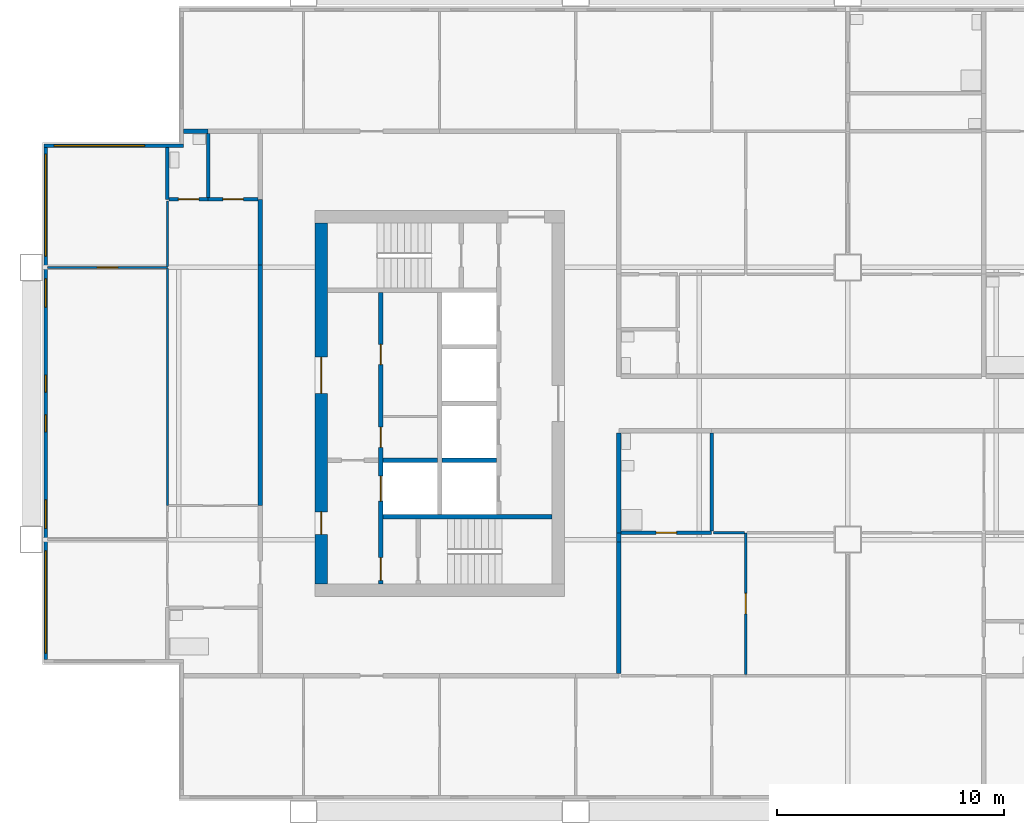
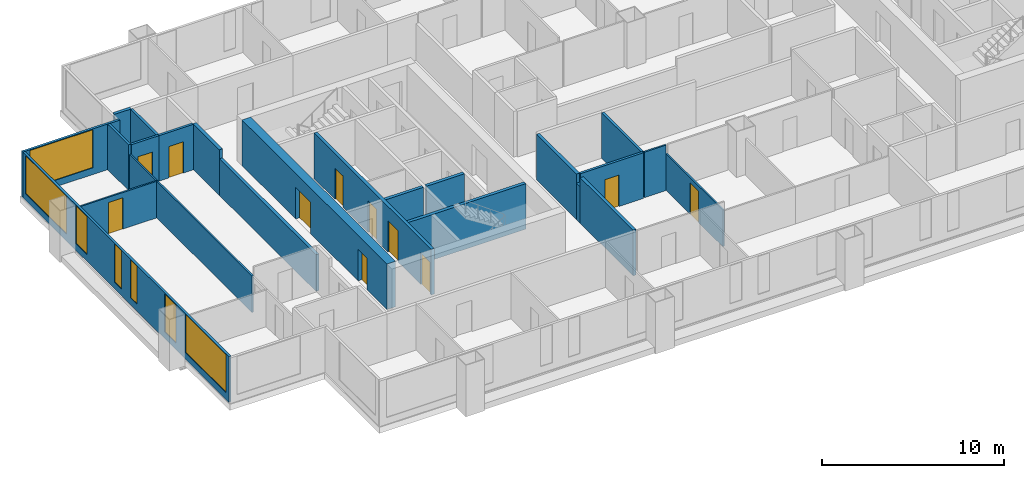
# One storey, part 3 of 10: 24 walls, 11 doors, 7 windows, 18 openings.
"""IFC4 building model written with IfcOpenShell, lengths in metres."""

from ifc_helpers import new_model, si_unit, direction, frame, frame_2d, origin, place, context, subcontext, project, spatial, rectangle, extrude, material, layer, layer_set, type_object, element, fill, save


model = new_model("IFC4")

# Units and contexts
model_context = context("Model", 3, precision=1e-05, world=origin(), true_north=direction((0.0, 1.0)))
body_context = subcontext(model_context, "Body", "Model", "MODEL_VIEW")
ifc_project = project(units=[si_unit("LENGTHUNIT", "METRE"), si_unit("AREAUNIT", "SQUARE_METRE"), si_unit("VOLUMEUNIT", "CUBIC_METRE"), si_unit("PLANEANGLEUNIT", "RADIAN"), si_unit("MASSUNIT", "GRAM", prefix="KILO")], contexts=[model_context])

# Site, building, storey
site_placement = place(None, origin())
site = spatial("IfcSite", under=ifc_project, at=site_placement, CompositionType="ELEMENT")
building_placement = place(site_placement, origin())
building = spatial("IfcBuilding", under=site, at=building_placement, Name="Kitamizu Gate Tower and Museum", CompositionType="ELEMENT")
storey_placement = place(building_placement, frame((0.0, 0.0, 185.85009765625)))
storey = spatial("IfcBuildingStorey", under=building, at=storey_placement, Name="L49", CompositionType="ELEMENT", Elevation=185.85009765625)

# Wall, openings, doors
ifc_material_1 = material(Name="Concrete Fc42", Category="concrete")
ifc_layer_1 = layer(ifc_material_1, 0.550048828125)
ifc_layer_set_1 = layer_set([ifc_layer_1], Name="Concrete Fc42")
wall_type_1 = type_object("IfcWallType", Name="Core wall 550", PredefinedType="SHEAR", material=ifc_layer_set_1)
wall_1_placement = place(storey_placement, frame((12.77490234375, 22.050048828125, 0.0), z_axis=(0.0, 0.0, 1.0), x_axis=(0.0, 1.0, 0.0)))
wall_1 = element("IfcWall", 1, at=wall_1_placement, inside=storey, type_object=wall_type_1, Name="Core wall WOUT", PredefinedType="SHEAR", context=body_context, shape_type="SweptSolid", body=[
    extrude(rectangle(XDim=15.89990234375, YDim=0.550048828125, at=frame_2d((7.949951171875, 0.0))), origin(), (0.0, 0.0, 1.0), 3.0498046875),
])
opening_1_placement = place(wall_1_placement, frame((8.39990234375, 0.0, 0.0)))
opening_1 = element("IfcOpeningElement", 2, at=opening_1_placement, cuts=wall_1, Name="Opening L49-046", PredefinedType="OPENING", context=body_context, shape_type="SweptSolid", body=[
    extrude(rectangle(XDim=1.60009765625, YDim=2.10009765625, at=frame_2d((0.800048828125, 1.050048828125))), frame((0.0, 0.28515625, 0.0), z_axis=(0.0, -1.0, 0.0), x_axis=(1.0, 0.0, 0.0)), (0.0, 0.0, 1.0), 0.570068359375),
])
opening_2_placement = place(wall_1_placement, frame((2.175048828125, 0.0, 0.0)))
opening_2 = element("IfcOpeningElement", 3, at=opening_2_placement, cuts=wall_1, Name="Opening L49-047", PredefinedType="OPENING", context=body_context, shape_type="SweptSolid", body=[
    extrude(rectangle(XDim=1.0, YDim=2.10009765625, at=frame_2d((0.5, 1.050048828125))), frame((0.0, 0.28515625, 0.0), z_axis=(0.0, -1.0, 0.0), x_axis=(1.0, 0.0, 0.0)), (0.0, 0.0, 1.0), 0.570068359375),
])
ifc_material_2 = material(Name="Timber door set", Category="wood")
door_type_1 = type_object("IfcDoorType", Name="Entrance door 1600", OperationType="DOUBLE_DOOR_SINGLE_SWING", PredefinedType="DOOR", material=ifc_material_2)
door_1_placement = place(opening_1_placement, origin())
door_1 = element("IfcDoor", 4, at=door_1_placement, inside=storey, type_object=door_type_1, Name="Lobby door L49-046", OperationType="DOUBLE_DOOR_SINGLE_SWING", OverallHeight=2.10009765625, OverallWidth=1.60009765625, PredefinedType="DOOR", context=body_context, shape_type="SweptSolid", body=[
    extrude(rectangle(XDim=1.60009765625, YDim=2.10009765625, at=frame_2d((0.800048828125, 1.050048828125))), frame((0.0, 0.02490234375, 0.0), z_axis=(0.0, -1.0, 0.0), x_axis=(1.0, 0.0, 0.0)), (0.0, 0.0, 1.0), 0.050048828125),
])
fill(opening_1, door_1)
ifc_material_3 = material(Name="Hollow metal door set")
door_type_2 = type_object("IfcDoorType", Name="Fire door 1000", OperationType="NOTDEFINED", PredefinedType="DOOR", material=ifc_material_3)
door_2_placement = place(opening_2_placement, frame((1.0, 0.0, 0.0), x_axis=(-1.0, 0.0, 0.0)))
door_2 = element("IfcDoor", 5, at=door_2_placement, inside=storey, type_object=door_type_2, Name="Fire-fighting lobby door L49-047", OperationType="SINGLE_SWING_LEFT", OverallHeight=2.10009765625, OverallWidth=1.0, PredefinedType="DOOR", context=body_context, shape_type="SweptSolid", body=[
    extrude(rectangle(XDim=1.0, YDim=2.10009765625, at=frame_2d((0.5, 1.050048828125))), frame((0.0, 0.02490234375, 0.0), z_axis=(0.0, -1.0, 0.0), x_axis=(1.0, 0.0, 0.0)), (0.0, 0.0, 1.0), 0.050048828125),
])
fill(opening_2, door_2)

# Wall, opening, door
ifc_material_4 = material(Name="Gypsum board on galvanised stud")
ifc_layer_2 = layer(ifc_material_4, 0.10009765625)
ifc_layer_set_2 = layer_set([ifc_layer_2], Name="Gypsum board on galvanised stud")
wall_type_2 = type_object("IfcWallType", Name="Partition 100 NOT RATED", PredefinedType="PARTITIONING", material=ifc_layer_set_2)
wall_2_placement = place(storey_placement, frame((31.5, 18.050048828125, 0.0), z_axis=(0.0, 0.0, 1.0), x_axis=(0.0, 1.0, 0.0)))
wall_2 = element("IfcWall", 6, at=wall_2_placement, inside=storey, type_object=wall_type_2, Name="Partition L49-015", PredefinedType="PARTITIONING", context=body_context, shape_type="SweptSolid", body=[
    extrude(rectangle(XDim=6.25, YDim=0.10009765625, at=frame_2d((3.125, 0.0))), origin(), (0.0, 0.0, 1.0), 2.449951171875),
])
opening_3_placement = place(wall_2_placement, frame((2.675048828125, 0.0, 0.0)))
opening_3 = element("IfcOpeningElement", 7, at=opening_3_placement, cuts=wall_2, Name="Opening L49-007", PredefinedType="OPENING", context=body_context, shape_type="SweptSolid", body=[
    extrude(rectangle(XDim=0.89990234375, YDim=2.10009765625, at=frame_2d((0.449951171875, 1.050048828125))), frame((0.0, 0.06005859375, 0.0), z_axis=(0.0, -1.0, 0.0), x_axis=(1.0, 0.0, 0.0)), (0.0, 0.0, 1.0), 0.1201171875),
])
ifc_material_5 = material(Name="Timber door set", Category="wood")
door_type_3 = type_object("IfcDoorType", Name="Room door 900", OperationType="NOTDEFINED", PredefinedType="DOOR", material=ifc_material_5)
door_3_placement = place(opening_3_placement, frame((0.89990234375, 0.0, 0.0), x_axis=(-1.0, 0.0, 0.0)))
door_3 = element("IfcDoor", 8, at=door_3_placement, inside=storey, type_object=door_type_3, Name="Door L49-007", OperationType="SINGLE_SWING_LEFT", OverallHeight=2.10009765625, OverallWidth=0.89990234375, PredefinedType="DOOR", context=body_context, shape_type="SweptSolid", body=[
    extrude(rectangle(XDim=0.89990234375, YDim=2.10009765625, at=frame_2d((0.449951171875, 1.050048828125))), frame((0.0, 0.02490234375, 0.0), z_axis=(0.0, -1.0, 0.0), x_axis=(1.0, 0.0, 0.0)), (0.0, 0.0, 1.0), 0.050048828125),
])
fill(opening_3, door_3)

# Wall
wall_3_placement = place(storey_placement, frame((31.449951171875, 24.300048828125, 0.0), z_axis=(0.0, 0.0, 1.0), x_axis=(-1.0, 0.0, 0.0)))
element("IfcWall", 9, at=wall_3_placement, inside=storey, type_object=wall_type_2, Name="Partition L49-017", PredefinedType="PARTITIONING", context=body_context, shape_type="SweptSolid", body=[
    extrude(rectangle(XDim=1.375, YDim=0.10009765625, at=frame_2d((0.6875, 0.0))), origin(), (0.0, 0.0, 1.0), 3.0498046875),
])

# Wall, opening, door
wall_4_placement = place(storey_placement, frame((6.0, 36.0, 0.0), z_axis=(0.0, 0.0, 1.0), x_axis=(-1.0, 0.0, 0.0)))
wall_4 = element("IfcWall", 10, at=wall_4_placement, inside=storey, type_object=wall_type_2, Name="Partition L49-082", PredefinedType="PARTITIONING", context=body_context, shape_type="SweptSolid", body=[
    extrude(rectangle(XDim=5.280029296875, YDim=0.10009765625, at=frame_2d((2.64013671875, 0.0))), origin(), (0.0, 0.0, 1.0), 2.449951171875),
])
opening_4_placement = place(wall_4_placement, frame((2.18994140625, 0.0, 0.0)))
opening_4 = element("IfcOpeningElement", 11, at=opening_4_placement, cuts=wall_4, Name="Opening L49-032", PredefinedType="OPENING", context=body_context, shape_type="SweptSolid", body=[
    extrude(rectangle(XDim=0.89990234375, YDim=2.10009765625, at=frame_2d((0.449951171875, 1.050048828125))), frame((0.0, 0.06005859375, 0.0), z_axis=(0.0, -1.0, 0.0), x_axis=(1.0, 0.0, 0.0)), (0.0, 0.0, 1.0), 0.1201171875),
])
door_4_placement = place(opening_4_placement, frame((0.89990234375, 0.0, 0.0), x_axis=(-1.0, 0.0, 0.0)))
door_4 = element("IfcDoor", 12, at=door_4_placement, inside=storey, type_object=door_type_3, Name="Door L49-032", OperationType="SINGLE_SWING_LEFT", OverallHeight=2.10009765625, OverallWidth=0.89990234375, PredefinedType="DOOR", context=body_context, shape_type="SweptSolid", body=[
    extrude(rectangle(XDim=0.89990234375, YDim=2.10009765625, at=frame_2d((0.449951171875, 1.050048828125))), frame((0.0, 0.02490234375, 0.0), z_axis=(0.0, -1.0, 0.0), x_axis=(1.0, 0.0, 0.0)), (0.0, 0.0, 1.0), 0.050048828125),
])
fill(opening_4, door_4)

# Walls
wall_5_placement = place(storey_placement, frame((6.0, 25.5, 0.0), z_axis=(0.0, 0.0, 1.0), x_axis=(0.0, 1.0, 0.0)))
element("IfcWall", 13, at=wall_5_placement, inside=storey, type_object=wall_type_2, Name="Partition L49-084", PredefinedType="PARTITIONING", context=body_context, shape_type="SweptSolid", body=[
    extrude(rectangle(XDim=10.449951171875, YDim=0.10009765625, at=frame_2d((5.22509765625, 0.0))), origin(), (0.0, 0.0, 1.0), 2.449951171875),
])
wall_6_placement = place(storey_placement, frame((6.0, 36.050048828125, 0.0), z_axis=(0.0, 0.0, 1.0), x_axis=(0.0, 1.0, 0.0)))
element("IfcWall", 14, at=wall_6_placement, inside=storey, type_object=wall_type_2, Name="Partition L49-085", PredefinedType="PARTITIONING", context=body_context, shape_type="SweptSolid", body=[
    extrude(rectangle(XDim=2.875, YDim=0.10009765625, at=frame_2d((1.4375, 0.0))), origin(), (0.0, 0.0, 1.0), 2.449951171875),
])

# Wall, opening, door
ifc_material_6 = material(Name="Gypsum board on galvanised stud")
ifc_layer_3 = layer(ifc_material_6, 0.14990234375)
ifc_layer_set_3 = layer_set([ifc_layer_3], Name="Gypsum board on galvanised stud")
wall_type_3 = type_object("IfcWallType", Name="Partition 150", PredefinedType="PARTITIONING", material=ifc_layer_set_3)
wall_7_placement = place(storey_placement, frame((30.0, 24.300048828125, 0.0), z_axis=(0.0, 0.0, 1.0), x_axis=(-1.0, 0.0, 0.0)))
wall_7 = element("IfcWall", 15, at=wall_7_placement, inside=storey, type_object=wall_type_3, Name="Partition L49-016", PredefinedType="PARTITIONING", context=body_context, shape_type="SweptSolid", body=[
    extrude(rectangle(XDim=4.0, YDim=0.14990234375, at=frame_2d((2.0, 0.0))), origin(), (0.0, 0.0, 1.0), 3.0498046875),
])
opening_5_placement = place(wall_7_placement, frame((1.550048828125, 0.0, 0.0)))
opening_5 = element("IfcOpeningElement", 16, at=opening_5_placement, cuts=wall_7, Name="Opening L49-009", PredefinedType="OPENING", context=body_context, shape_type="SweptSolid", body=[
    extrude(rectangle(XDim=0.89990234375, YDim=2.10009765625, at=frame_2d((0.449951171875, 1.050048828125))), frame((0.0, 0.0849609375, 0.0), z_axis=(0.0, -1.0, 0.0), x_axis=(1.0, 0.0, 0.0)), (0.0, 0.0, 1.0), 0.169921875),
])
ifc_material_7 = material(Name="Timber door set", Category="wood")
door_type_4 = type_object("IfcDoorType", Name="Bathroom door 900", OperationType="NOTDEFINED", PredefinedType="DOOR", material=ifc_material_7)
door_5_placement = place(opening_5_placement, frame((0.89990234375, 0.0, 0.0), x_axis=(-1.0, 0.0, 0.0)))
door_5 = element("IfcDoor", 17, at=door_5_placement, inside=storey, type_object=door_type_4, Name="Bathroom door L49-009", OperationType="SINGLE_SWING_LEFT", OverallHeight=2.10009765625, OverallWidth=0.89990234375, PredefinedType="DOOR", context=body_context, shape_type="SweptSolid", body=[
    extrude(rectangle(XDim=0.89990234375, YDim=2.10009765625, at=frame_2d((0.449951171875, 1.050048828125))), frame((0.0, 0.02490234375, 0.0), z_axis=(0.0, -1.0, 0.0), x_axis=(1.0, 0.0, 0.0)), (0.0, 0.0, 1.0), 0.050048828125),
])
fill(opening_5, door_5)

# Walls
wall_8_placement = place(storey_placement, frame((30.0, 24.375, 0.0), z_axis=(0.0, 0.0, 1.0), x_axis=(0.0, 1.0, 0.0)))
element("IfcWall", 18, at=wall_8_placement, inside=storey, type_object=wall_type_3, Name="Partition L49-025", PredefinedType="PARTITIONING", context=body_context, shape_type="SweptSolid", body=[
    extrude(rectangle(XDim=4.324951171875, YDim=0.14990234375, at=frame_2d((2.16259765625, 0.0))), origin(), (0.0, 0.0, 1.0), 3.0498046875),
])
wall_9_placement = place(storey_placement, frame((6.0, 39.0, 0.0), z_axis=(0.0, 0.0, 1.0), x_axis=(0.0, 1.0, 0.0)))
element("IfcWall", 19, at=wall_9_placement, inside=storey, type_object=wall_type_3, Name="Partition L49-086", PredefinedType="PARTITIONING", context=body_context, shape_type="SweptSolid", body=[
    extrude(rectangle(XDim=2.280029296875, YDim=0.14990234375, at=frame_2d((1.14013671875, 0.0))), origin(), (0.0, 0.0, 1.0), 3.0498046875),
])

# Wall, opening, door
wall_10_placement = place(storey_placement, frame((7.800048828125, 39.0, 0.0), z_axis=(0.0, 0.0, 1.0), x_axis=(-1.0, 0.0, 0.0)))
wall_10 = element("IfcWall", 20, at=wall_10_placement, inside=storey, type_object=wall_type_3, Name="Partition L49-092", PredefinedType="PARTITIONING", context=body_context, shape_type="SweptSolid", body=[
    extrude(rectangle(XDim=1.72509765625, YDim=0.14990234375, at=frame_2d((0.862548828125, 0.0))), origin(), (0.0, 0.0, 1.0), 3.0498046875),
])
opening_6_placement = place(wall_10_placement, frame((0.41259765625, 0.0, 0.0)))
opening_6 = element("IfcOpeningElement", 21, at=opening_6_placement, cuts=wall_10, Name="Opening L49-034", PredefinedType="OPENING", context=body_context, shape_type="SweptSolid", body=[
    extrude(rectangle(XDim=0.89990234375, YDim=2.10009765625, at=frame_2d((0.449951171875, 1.050048828125))), frame((0.0, 0.0849609375, 0.0), z_axis=(0.0, -1.0, 0.0), x_axis=(1.0, 0.0, 0.0)), (0.0, 0.0, 1.0), 0.169921875),
])
door_6_placement = place(opening_6_placement, frame((0.89990234375, 0.0, 0.0), x_axis=(-1.0, 0.0, 0.0)))
door_6 = element("IfcDoor", 22, at=door_6_placement, inside=storey, type_object=door_type_4, Name="Bathroom door L49-034", OperationType="SINGLE_SWING_LEFT", OverallHeight=2.10009765625, OverallWidth=0.89990234375, PredefinedType="DOOR", context=body_context, shape_type="SweptSolid", body=[
    extrude(rectangle(XDim=0.89990234375, YDim=2.10009765625, at=frame_2d((0.449951171875, 1.050048828125))), frame((0.0, 0.02490234375, 0.0), z_axis=(0.0, -1.0, 0.0), x_axis=(1.0, 0.0, 0.0)), (0.0, 0.0, 1.0), 0.050048828125),
])
fill(opening_6, door_6)

wall_11_placement = place(storey_placement, frame((10.0, 39.0, 0.0), z_axis=(0.0, 0.0, 1.0), x_axis=(-1.0, 0.0, 0.0)))
wall_11 = element("IfcWall", 23, at=wall_11_placement, inside=storey, type_object=wall_type_3, Name="Partition L49-093", PredefinedType="PARTITIONING", context=body_context, shape_type="SweptSolid", body=[
    extrude(rectangle(XDim=2.199951171875, YDim=0.14990234375, at=frame_2d((1.10009765625, 0.0))), origin(), (0.0, 0.0, 1.0), 3.0498046875),
])
opening_7_placement = place(wall_11_placement, frame((0.64990234375, 0.0, 0.0)))
opening_7 = element("IfcOpeningElement", 24, at=opening_7_placement, cuts=wall_11, Name="Opening L49-035", PredefinedType="OPENING", context=body_context, shape_type="SweptSolid", body=[
    extrude(rectangle(XDim=0.89990234375, YDim=2.10009765625, at=frame_2d((0.449951171875, 1.050048828125))), frame((0.0, 0.0849609375, 0.0), z_axis=(0.0, -1.0, 0.0), x_axis=(1.0, 0.0, 0.0)), (0.0, 0.0, 1.0), 0.169921875),
])
door_7_placement = place(opening_7_placement, frame((0.89990234375, 0.0, 0.0), x_axis=(-1.0, 0.0, 0.0)))
door_7 = element("IfcDoor", 25, at=door_7_placement, inside=storey, type_object=door_type_4, Name="Bathroom door L49-035", OperationType="SINGLE_SWING_RIGHT", OverallHeight=2.10009765625, OverallWidth=0.89990234375, PredefinedType="DOOR", context=body_context, shape_type="SweptSolid", body=[
    extrude(rectangle(XDim=0.89990234375, YDim=2.10009765625, at=frame_2d((0.449951171875, 1.050048828125))), frame((0.0, 0.02490234375, 0.0), z_axis=(0.0, -1.0, 0.0), x_axis=(1.0, 0.0, 0.0)), (0.0, 0.0, 1.0), 0.050048828125),
])
fill(opening_7, door_7)

# Walls
wall_12_placement = place(storey_placement, frame((7.800048828125, 39.074951171875, 0.0), z_axis=(0.0, 0.0, 1.0), x_axis=(0.0, 1.0, 0.0)))
element("IfcWall", 26, at=wall_12_placement, inside=storey, type_object=wall_type_3, Name="Partition L49-096", PredefinedType="PARTITIONING", context=body_context, shape_type="SweptSolid", body=[
    extrude(rectangle(XDim=2.824951171875, YDim=0.14990234375, at=frame_2d((1.41259765625, 0.0))), origin(), (0.0, 0.0, 1.0), 3.0498046875),
])
ifc_material_8 = material(Name="Gypsum board on galvanised stud")
ifc_layer_4 = layer(ifc_material_8, 0.199951171875)
ifc_layer_set_4 = layer_set([ifc_layer_4], Name="Gypsum board on galvanised stud")
wall_type_4 = type_object("IfcWallType", Name="Partition 200", PredefinedType="PARTITIONING", material=ifc_layer_set_4)
wall_13_placement = place(storey_placement, frame((25.89990234375, 24.300048828125, 0.0), z_axis=(0.0, 0.0, 1.0), x_axis=(0.0, -1.0, 0.0)))
element("IfcWall", 27, at=wall_13_placement, inside=storey, type_object=wall_type_4, Name="Partition L49-018", PredefinedType="PARTITIONING", context=body_context, shape_type="SweptSolid", body=[
    extrude(rectangle(XDim=0.400146484375, YDim=0.199951171875, at=frame_2d((0.2001953125, 0.0))), origin(), (0.0, 0.0, 1.0), 2.449951171875),
])
wall_14_placement = place(storey_placement, frame((25.89990234375, 23.89990234375, 0.0), z_axis=(0.0, 0.0, 1.0), x_axis=(0.0, -1.0, 0.0)))
element("IfcWall", 28, at=wall_14_placement, inside=storey, type_object=wall_type_4, Name="Partition L49-019", PredefinedType="PARTITIONING", context=body_context, shape_type="SweptSolid", body=[
    extrude(rectangle(XDim=5.7998046875, YDim=0.199951171875, at=frame_2d((2.89990234375, 0.0))), origin(), (0.0, 0.0, 1.0), 3.0498046875),
])
wall_15_placement = place(storey_placement, frame((25.89990234375, 28.699951171875, 0.0), z_axis=(0.0, 0.0, 1.0), x_axis=(0.0, -1.0, 0.0)))
element("IfcWall", 29, at=wall_15_placement, inside=storey, type_object=wall_type_4, Name="Partition L49-027", PredefinedType="PARTITIONING", context=body_context, shape_type="SweptSolid", body=[
    extrude(rectangle(XDim=4.39990234375, YDim=0.199951171875, at=frame_2d((2.199951171875, 0.0))), origin(), (0.0, 0.0, 1.0), 3.0498046875),
])
wall_16_placement = place(storey_placement, frame((6.719970703125, 42.0, 0.0), z_axis=(0.0, 0.0, 1.0), x_axis=(1.0, 0.0, 0.0)))
element("IfcWall", 30, at=wall_16_placement, inside=storey, type_object=wall_type_4, Name="Partition L49-042", PredefinedType="PARTITIONING", context=body_context, shape_type="SweptSolid", body=[
    extrude(rectangle(XDim=1.080078125, YDim=0.199951171875, at=frame_2d((0.5400390625, 0.0))), origin(), (0.0, 0.0, 1.0), 3.0498046875),
])
wall_17_placement = place(storey_placement, frame((10.10009765625, 25.5, 0.0), z_axis=(0.0, 0.0, 1.0), x_axis=(0.0, 1.0, 0.0)))
element("IfcWall", 31, at=wall_17_placement, inside=storey, type_object=wall_type_4, Name="Partition L49-094", PredefinedType="PARTITIONING", context=body_context, shape_type="SweptSolid", body=[
    extrude(rectangle(XDim=10.60009765625, YDim=0.199951171875, at=frame_2d((5.300048828125, 0.0))), origin(), (0.0, 0.0, 1.0), 2.449951171875),
])
wall_18_placement = place(storey_placement, frame((10.10009765625, 36.10009765625, 0.0), z_axis=(0.0, 0.0, 1.0), x_axis=(0.0, 1.0, 0.0)))
element("IfcWall", 32, at=wall_18_placement, inside=storey, type_object=wall_type_4, Name="Partition L49-095", PredefinedType="PARTITIONING", context=body_context, shape_type="SweptSolid", body=[
    extrude(rectangle(XDim=2.89990234375, YDim=0.199951171875, at=frame_2d((1.449951171875, 0.0))), origin(), (0.0, 0.0, 1.0), 3.0498046875),
])

# Wall, openings, doors
ifc_material_9 = material(Name="Concrete Fc42", Category="concrete")
ifc_layer_5 = layer(ifc_material_9, 0.199951171875)
ifc_layer_set_5 = layer_set([ifc_layer_5], Name="Concrete Fc42")
wall_type_5 = type_object("IfcWallType", Name="Shaft wall 200", PredefinedType="SOLIDWALL", material=ifc_layer_set_5)
wall_19_placement = place(storey_placement, frame((15.39990234375, 22.050048828125, 0.0), z_axis=(0.0, 0.0, 1.0), x_axis=(0.0, 1.0, 0.0)))
wall_19 = element("IfcWall", 33, at=wall_19_placement, inside=storey, type_object=wall_type_5, Name="Shaft wall WWEST", PredefinedType="SOLIDWALL", context=body_context, shape_type="SweptSolid", body=[
    extrude(rectangle(XDim=12.849853515625, YDim=0.199951171875, at=frame_2d((6.4248046875, 0.0))), origin(), (0.0, 0.0, 1.0), 3.0498046875),
])
opening_8_placement = place(wall_19_placement, frame((3.64990234375, 0.0, 0.0)))
opening_8 = element("IfcOpeningElement", 34, at=opening_8_placement, cuts=wall_19, Name="Opening LD", PredefinedType="OPENING", context=body_context, shape_type="SweptSolid", body=[
    extrude(rectangle(XDim=1.10009765625, YDim=2.10009765625, at=frame_2d((0.550048828125, 1.050048828125))), frame((0.0, 0.10986328125, 0.0), z_axis=(0.0, -1.0, 0.0), x_axis=(1.0, 0.0, 0.0)), (0.0, 0.0, 1.0), 0.219970703125),
])
opening_9_placement = place(wall_19_placement, frame((0.14990234375, 0.0, 0.0)))
opening_9 = element("IfcOpeningElement", 35, at=opening_9_placement, cuts=wall_19, Name="Opening L49-042", PredefinedType="OPENING", context=body_context, shape_type="SweptSolid", body=[
    extrude(rectangle(XDim=1.0, YDim=2.10009765625, at=frame_2d((0.5, 1.050048828125))), frame((0.0, 0.10986328125, 0.0), z_axis=(0.0, -1.0, 0.0), x_axis=(1.0, 0.0, 0.0)), (0.0, 0.0, 1.0), 0.219970703125),
])
opening_10_placement = place(wall_19_placement, frame((6.012451171875, 0.0, 0.0)))
opening_10 = element("IfcOpeningElement", 36, at=opening_10_placement, cuts=wall_19, Name="Opening L49-050", PredefinedType="OPENING", context=body_context, shape_type="SweptSolid", body=[
    extrude(rectangle(XDim=0.89990234375, YDim=2.10009765625, at=frame_2d((0.449951171875, 1.050048828125))), frame((0.0, 0.10986328125, 0.0), z_axis=(0.0, -1.0, 0.0), x_axis=(1.0, 0.0, 0.0)), (0.0, 0.0, 1.0), 0.219970703125),
])
opening_11_placement = place(wall_19_placement, frame((9.66259765625, 0.0, 0.0)))
opening_11 = element("IfcOpeningElement", 37, at=opening_11_placement, cuts=wall_19, Name="Opening L49-051", PredefinedType="OPENING", context=body_context, shape_type="SweptSolid", body=[
    extrude(rectangle(XDim=0.89990234375, YDim=2.10009765625, at=frame_2d((0.449951171875, 1.050048828125))), frame((0.0, 0.10986328125, 0.0), z_axis=(0.0, -1.0, 0.0), x_axis=(1.0, 0.0, 0.0)), (0.0, 0.0, 1.0), 0.219970703125),
])
door_8_placement = place(opening_9_placement, frame((1.0, 0.0, 0.0), x_axis=(-1.0, 0.0, 0.0)))
door_8 = element("IfcDoor", 38, at=door_8_placement, inside=storey, type_object=door_type_2, Name="Stair lobby door L49-042", OperationType="SINGLE_SWING_LEFT", OverallHeight=2.10009765625, OverallWidth=1.0, PredefinedType="DOOR", context=body_context, shape_type="SweptSolid", body=[
    extrude(rectangle(XDim=1.0, YDim=2.10009765625, at=frame_2d((0.5, 1.050048828125))), frame((0.0, 0.02490234375, 0.0), z_axis=(0.0, -1.0, 0.0), x_axis=(1.0, 0.0, 0.0)), (0.0, 0.0, 1.0), 0.050048828125),
])
fill(opening_9, door_8)
ifc_material_10 = material(Name="Hollow metal door set")
door_type_5 = type_object("IfcDoorType", Name="Landing door 1100", OperationType="SLIDING_TO_LEFT", PredefinedType="DOOR", material=ifc_material_10)
door_9_placement = place(opening_8_placement, origin())
door_9 = element("IfcDoor", 39, at=door_9_placement, inside=storey, type_object=door_type_5, Name="Landing door WFF1", OperationType="SLIDING_TO_LEFT", OverallHeight=2.10009765625, OverallWidth=1.10009765625, PredefinedType="DOOR", context=body_context, shape_type="SweptSolid", body=[
    extrude(rectangle(XDim=1.10009765625, YDim=2.10009765625, at=frame_2d((0.550048828125, 1.050048828125))), frame((0.0, 0.02490234375, 0.0), z_axis=(0.0, -1.0, 0.0), x_axis=(1.0, 0.0, 0.0)), (0.0, 0.0, 1.0), 0.050048828125),
])
fill(opening_8, door_9)
ifc_material_11 = material(Name="Timber door set", Category="wood")
door_type_6 = type_object("IfcDoorType", Name="Service door 900", OperationType="NOTDEFINED", PredefinedType="DOOR", material=ifc_material_11)
door_10_placement = place(opening_10_placement, frame((0.89990234375, 0.0, 0.0), x_axis=(-1.0, 0.0, 0.0)))
door_10 = element("IfcDoor", 40, at=door_10_placement, inside=storey, type_object=door_type_6, Name="Service door L49-050", OperationType="SINGLE_SWING_RIGHT", OverallHeight=2.10009765625, OverallWidth=0.89990234375, PredefinedType="DOOR", context=body_context, shape_type="SweptSolid", body=[
    extrude(rectangle(XDim=0.89990234375, YDim=2.10009765625, at=frame_2d((0.449951171875, 1.050048828125))), frame((0.0, 0.02490234375, 0.0), z_axis=(0.0, -1.0, 0.0), x_axis=(1.0, 0.0, 0.0)), (0.0, 0.0, 1.0), 0.050048828125),
])
fill(opening_10, door_10)
door_11_placement = place(opening_11_placement, frame((0.89990234375, 0.0, 0.0), x_axis=(-1.0, 0.0, 0.0)))
door_11 = element("IfcDoor", 41, at=door_11_placement, inside=storey, type_object=door_type_6, Name="Service door L49-051", OperationType="SINGLE_SWING_LEFT", OverallHeight=2.10009765625, OverallWidth=0.89990234375, PredefinedType="DOOR", context=body_context, shape_type="SweptSolid", body=[
    extrude(rectangle(XDim=0.89990234375, YDim=2.10009765625, at=frame_2d((0.449951171875, 1.050048828125))), frame((0.0, 0.02490234375, 0.0), z_axis=(0.0, -1.0, 0.0), x_axis=(1.0, 0.0, 0.0)), (0.0, 0.0, 1.0), 0.050048828125),
])
fill(opening_11, door_11)

# Walls
wall_20_placement = place(storey_placement, frame((15.5, 25.0, 0.0), z_axis=(0.0, 0.0, 1.0), x_axis=(1.0, 0.0, 0.0)))
element("IfcWall", 42, at=wall_20_placement, inside=storey, type_object=wall_type_5, Name="Shaft wall WSB", PredefinedType="SOLIDWALL", context=body_context, shape_type="SweptSolid", body=[
    extrude(rectangle(XDim=7.449951171875, YDim=0.199951171875, at=frame_2d((3.72509765625, 0.0))), origin(), (0.0, 0.0, 1.0), 3.0498046875),
])
for number, where, z_axis, x_axis, name in (
    (43, (15.5, 27.5, 0.0), (0.0, 0.0, 1.0), (1.0, 0.0, 0.0), "Shaft wall WDVW0"),
    (44, (18.10009765625, 27.5, 0.0), (0.0, 0.0, 1.0), (1.0, 0.0, 0.0), "Shaft wall WDVE0"),
):
    element("IfcWall", number, at=place(storey_placement, frame(where, z_axis=z_axis, x_axis=x_axis)), inside=storey, type_object=wall_type_5, Name=name, PredefinedType="SOLIDWALL", context=body_context, shape_type="SweptSolid", body=[
        extrude(rectangle(XDim=2.39990234375, YDim=0.199951171875, at=frame_2d((1.199951171875, 0.0))), origin(), (0.0, 0.0, 1.0), 3.0498046875),
    ])

# Wall, opening, window
ifc_material_12 = material(Name="Bronze anodised aluminium frame with insulated spandrel and tinted glass", Category="aluminium")
ifc_layer_6 = layer(ifc_material_12, 0.14990234375)
ifc_layer_set_6 = layer_set([ifc_layer_6], Name="Bronze anodised aluminium frame with insulated spandrel and tinted glass")
wall_type_6 = type_object("IfcWallType", Name="WINDOW WALL 150 BRONZE FRAME EI 30", PredefinedType="ELEMENTEDWALL", material=ifc_layer_set_6)
wall_21_placement = place(storey_placement, frame((0.56005859375, 41.364990234375, 0.0), z_axis=(0.0, 0.0, 1.0), x_axis=(1.0, 0.0, 0.0)))
wall_21 = element("IfcWall", 45, at=wall_21_placement, inside=storey, type_object=wall_type_6, Name="Window wall north L49", PredefinedType="ELEMENTEDWALL", context=body_context, shape_type="SweptSolid", body=[
    extrude(rectangle(XDim=6.14990234375, YDim=0.14990234375, at=frame_2d((3.074951171875, 0.0))), origin(), (0.0, 0.0, 1.0), 3.0498046875),
])
opening_12_placement = place(wall_21_placement, frame((0.43994140625, 0.0, 0.449951171875)))
opening_12 = element("IfcOpeningElement", 46, at=opening_12_placement, cuts=wall_21, Name="Opening W16", PredefinedType="OPENING", context=body_context, shape_type="SweptSolid", body=[
    extrude(rectangle(XDim=4.0, YDim=2.550048828125, at=frame_2d((2.0, 1.27490234375))), frame((0.0, 0.0849609375, 0.0), z_axis=(0.0, -1.0, 0.0), x_axis=(1.0, 0.0, 0.0)), (0.0, 0.0, 1.0), 0.169921875),
])
ifc_material_13 = material(Name="Bronze anodised aluminium frame, tinted triple glazing", Category="aluminium")
window_type_1 = type_object("IfcWindowType", Name="WINDOW 4000 x 2550 SILL 450", PartitioningType="SINGLE_PANEL", PredefinedType="WINDOW", material=ifc_material_13)
window_1_placement = place(opening_12_placement, origin())
window_1 = element("IfcWindow", 47, at=window_1_placement, inside=storey, type_object=window_type_1, Name="Window W16 L49", OverallHeight=2.550048828125, OverallWidth=4.0, PartitioningType="SINGLE_PANEL", PredefinedType="WINDOW", context=body_context, shape_type="SweptSolid", body=[
    extrude(rectangle(XDim=4.0, YDim=2.550048828125, at=frame_2d((2.0, 1.27490234375))), frame((0.0, 0.030029296875, 0.0), z_axis=(0.0, -1.0, 0.0), x_axis=(1.0, 0.0, 0.0)), (0.0, 0.0, 1.0), 0.06005859375),
])
fill(opening_12, window_1)

# Wall, openings, windows
wall_22_placement = place(storey_placement, frame((0.635009765625, 18.7099609375, 0.0), z_axis=(0.0, 0.0, 1.0), x_axis=(0.0, 1.0, 0.0)))
wall_22 = element("IfcWall", 48, at=wall_22_placement, inside=storey, type_object=wall_type_6, Name="Window wall west L49", PredefinedType="ELEMENTEDWALL", context=body_context, shape_type="SweptSolid", body=[
    extrude(rectangle(XDim=22.580078125, YDim=0.14990234375, at=frame_2d((11.2900390625, 0.0))), origin(), (0.0, 0.0, 1.0), 3.0498046875),
])
opening_13_placement = place(wall_22_placement, frame((0.2900390625, 0.0, 0.449951171875)))
opening_13 = element("IfcOpeningElement", 49, at=opening_13_placement, cuts=wall_22, Name="Opening W15", PredefinedType="OPENING", context=body_context, shape_type="SweptSolid", body=[
    extrude(rectangle(XDim=4.5, YDim=2.550048828125, at=frame_2d((2.25, 1.27490234375))), frame((0.0, 0.0849609375, 0.0), z_axis=(0.0, -1.0, 0.0), x_axis=(1.0, 0.0, 0.0)), (0.0, 0.0, 1.0), 0.169921875),
])
opening_14_placement = place(wall_22_placement, frame((5.7900390625, 0.0, 0.449951171875)))
opening_14 = element("IfcOpeningElement", 50, at=opening_14_placement, cuts=wall_22, Name="Opening W27", PredefinedType="OPENING", context=body_context, shape_type="SweptSolid", body=[
    extrude(rectangle(XDim=1.25, YDim=2.550048828125, at=frame_2d((0.625, 1.27490234375))), frame((0.0, 0.0849609375, 0.0), z_axis=(0.0, -1.0, 0.0), x_axis=(1.0, 0.0, 0.0)), (0.0, 0.0, 1.0), 0.169921875),
])
opening_15_placement = place(wall_22_placement, frame((10.0400390625, 0.0, 0.449951171875)))
opening_15 = element("IfcOpeningElement", 51, at=opening_15_placement, cuts=wall_22, Name="Opening W25", PredefinedType="OPENING", context=body_context, shape_type="SweptSolid", body=[
    extrude(rectangle(XDim=0.75, YDim=2.550048828125, at=frame_2d((0.375, 1.27490234375))), frame((0.0, 0.0849609375, 0.0), z_axis=(0.0, -1.0, 0.0), x_axis=(1.0, 0.0, 0.0)), (0.0, 0.0, 1.0), 0.169921875),
])
opening_16_placement = place(wall_22_placement, frame((11.7900390625, 0.0, 0.449951171875)))
opening_16 = element("IfcOpeningElement", 52, at=opening_16_placement, cuts=wall_22, Name="Opening W25", PredefinedType="OPENING", context=body_context, shape_type="SweptSolid", body=[
    extrude(rectangle(XDim=0.75, YDim=2.550048828125, at=frame_2d((0.375, 1.27490234375))), frame((0.0, 0.0849609375, 0.0), z_axis=(0.0, -1.0, 0.0), x_axis=(1.0, 0.0, 0.0)), (0.0, 0.0, 1.0), 0.169921875),
])
opening_17_placement = place(wall_22_placement, frame((15.5400390625, 0.0, 0.449951171875)))
opening_17 = element("IfcOpeningElement", 53, at=opening_17_placement, cuts=wall_22, Name="Opening W27", PredefinedType="OPENING", context=body_context, shape_type="SweptSolid", body=[
    extrude(rectangle(XDim=1.25, YDim=2.550048828125, at=frame_2d((0.625, 1.27490234375))), frame((0.0, 0.0849609375, 0.0), z_axis=(0.0, -1.0, 0.0), x_axis=(1.0, 0.0, 0.0)), (0.0, 0.0, 1.0), 0.169921875),
])
opening_18_placement = place(wall_22_placement, frame((17.7900390625, 0.0, 0.449951171875)))
opening_18 = element("IfcOpeningElement", 54, at=opening_18_placement, cuts=wall_22, Name="Opening W15", PredefinedType="OPENING", context=body_context, shape_type="SweptSolid", body=[
    extrude(rectangle(XDim=4.5, YDim=2.550048828125, at=frame_2d((2.25, 1.27490234375))), frame((0.0, 0.0849609375, 0.0), z_axis=(0.0, -1.0, 0.0), x_axis=(1.0, 0.0, 0.0)), (0.0, 0.0, 1.0), 0.169921875),
])
ifc_material_14 = material(Name="Bronze anodised aluminium frame, tinted triple glazing", Category="aluminium")
window_type_2 = type_object("IfcWindowType", Name="WINDOW 1250 x 2550 SILL 450", PartitioningType="SINGLE_PANEL", PredefinedType="WINDOW", material=ifc_material_14)
window_2_placement = place(opening_14_placement, origin())
window_2 = element("IfcWindow", 55, at=window_2_placement, inside=storey, type_object=window_type_2, Name="Window W27 L49", OverallHeight=2.550048828125, OverallWidth=1.25, PartitioningType="SINGLE_PANEL", PredefinedType="WINDOW", context=body_context, shape_type="SweptSolid", body=[
    extrude(rectangle(XDim=1.25, YDim=2.550048828125, at=frame_2d((0.625, 1.27490234375))), frame((0.0, 0.030029296875, 0.0), z_axis=(0.0, -1.0, 0.0), x_axis=(1.0, 0.0, 0.0)), (0.0, 0.0, 1.0), 0.06005859375),
])
fill(opening_14, window_2)
window_3_placement = place(opening_17_placement, origin())
window_3 = element("IfcWindow", 56, at=window_3_placement, inside=storey, type_object=window_type_2, Name="Window W27 L49", OverallHeight=2.550048828125, OverallWidth=1.25, PartitioningType="SINGLE_PANEL", PredefinedType="WINDOW", context=body_context, shape_type="SweptSolid", body=[
    extrude(rectangle(XDim=1.25, YDim=2.550048828125, at=frame_2d((0.625, 1.27490234375))), frame((0.0, 0.030029296875, 0.0), z_axis=(0.0, -1.0, 0.0), x_axis=(1.0, 0.0, 0.0)), (0.0, 0.0, 1.0), 0.06005859375),
])
fill(opening_17, window_3)
ifc_material_15 = material(Name="Bronze anodised aluminium frame, tinted triple glazing", Category="aluminium")
window_type_3 = type_object("IfcWindowType", Name="WINDOW 4500 x 2550 SILL 450", PartitioningType="SINGLE_PANEL", PredefinedType="WINDOW", material=ifc_material_15)
window_4_placement = place(opening_13_placement, origin())
window_4 = element("IfcWindow", 57, at=window_4_placement, inside=storey, type_object=window_type_3, Name="Window W15 L49", OverallHeight=2.550048828125, OverallWidth=4.5, PartitioningType="SINGLE_PANEL", PredefinedType="WINDOW", context=body_context, shape_type="SweptSolid", body=[
    extrude(rectangle(XDim=4.5, YDim=2.550048828125, at=frame_2d((2.25, 1.27490234375))), frame((0.0, 0.030029296875, 0.0), z_axis=(0.0, -1.0, 0.0), x_axis=(1.0, 0.0, 0.0)), (0.0, 0.0, 1.0), 0.06005859375),
])
fill(opening_13, window_4)
window_5_placement = place(opening_18_placement, origin())
window_5 = element("IfcWindow", 58, at=window_5_placement, inside=storey, type_object=window_type_3, Name="Window W15 L49", OverallHeight=2.550048828125, OverallWidth=4.5, PartitioningType="SINGLE_PANEL", PredefinedType="WINDOW", context=body_context, shape_type="SweptSolid", body=[
    extrude(rectangle(XDim=4.5, YDim=2.550048828125, at=frame_2d((2.25, 1.27490234375))), frame((0.0, 0.030029296875, 0.0), z_axis=(0.0, -1.0, 0.0), x_axis=(1.0, 0.0, 0.0)), (0.0, 0.0, 1.0), 0.06005859375),
])
fill(opening_18, window_5)
ifc_material_16 = material(Name="Bronze anodised aluminium frame, tinted triple glazing", Category="aluminium")
window_type_4 = type_object("IfcWindowType", Name="WINDOW 750 x 2550 SILL 450", PartitioningType="SINGLE_PANEL", PredefinedType="WINDOW", material=ifc_material_16)
window_6_placement = place(opening_15_placement, origin())
window_6 = element("IfcWindow", 59, at=window_6_placement, inside=storey, type_object=window_type_4, Name="Window W25 L49", OverallHeight=2.550048828125, OverallWidth=0.75, PartitioningType="SINGLE_PANEL", PredefinedType="WINDOW", context=body_context, shape_type="SweptSolid", body=[
    extrude(rectangle(XDim=0.75, YDim=2.550048828125, at=frame_2d((0.375, 1.27490234375))), frame((0.0, 0.030029296875, 0.0), z_axis=(0.0, -1.0, 0.0), x_axis=(1.0, 0.0, 0.0)), (0.0, 0.0, 1.0), 0.06005859375),
])
fill(opening_15, window_6)
window_7_placement = place(opening_16_placement, origin())
window_7 = element("IfcWindow", 60, at=window_7_placement, inside=storey, type_object=window_type_4, Name="Window W25 L49", OverallHeight=2.550048828125, OverallWidth=0.75, PartitioningType="SINGLE_PANEL", PredefinedType="WINDOW", context=body_context, shape_type="SweptSolid", body=[
    extrude(rectangle(XDim=0.75, YDim=2.550048828125, at=frame_2d((0.375, 1.27490234375))), frame((0.0, 0.030029296875, 0.0), z_axis=(0.0, -1.0, 0.0), x_axis=(1.0, 0.0, 0.0)), (0.0, 0.0, 1.0), 0.06005859375),
])
fill(opening_16, window_7)

save(model, "model.ifc")
